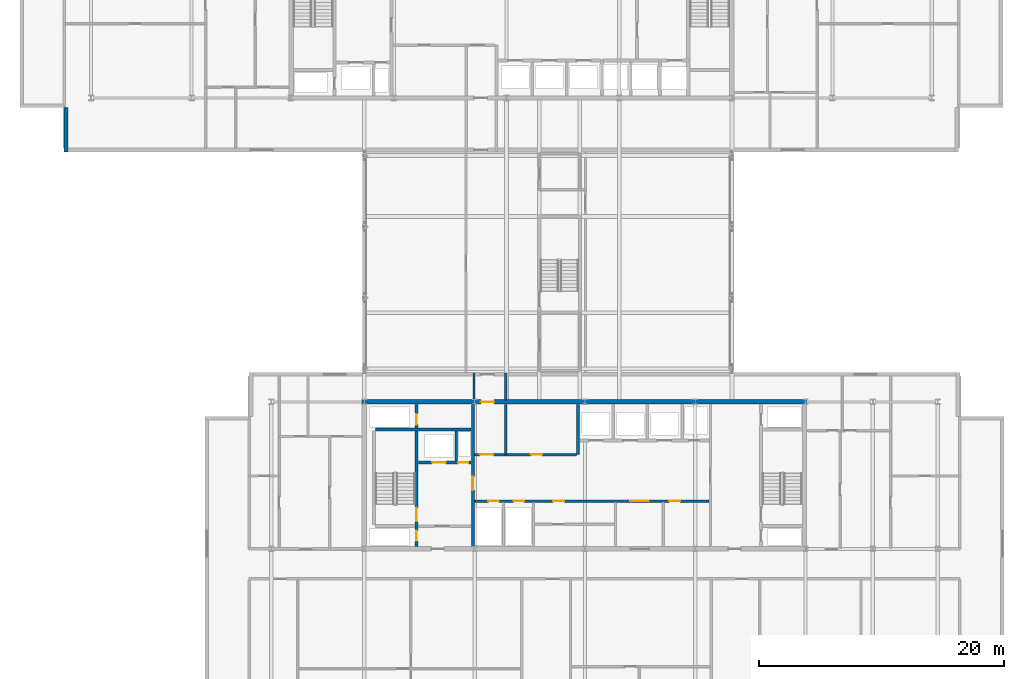
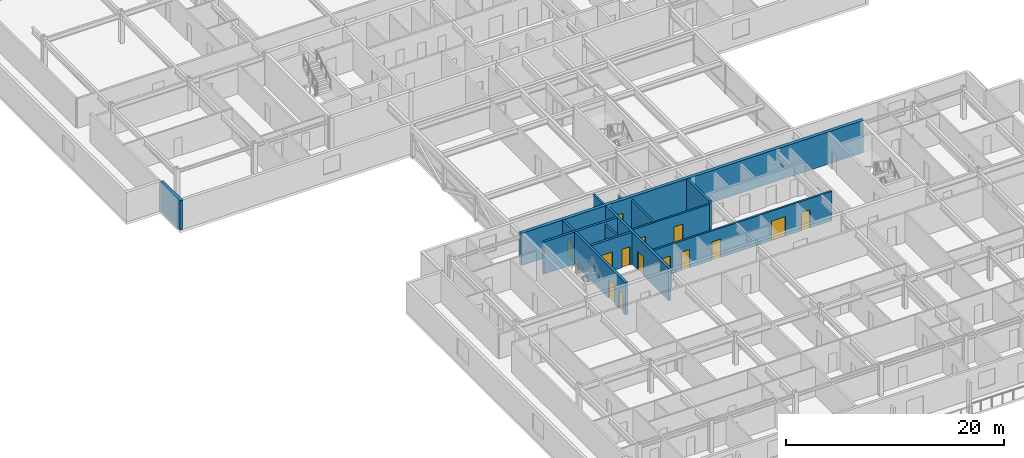
# One storey, part 20 of 36: 14 doors, 13 walls, 14 openings.
"""IFC4 building model written with IfcOpenShell, lengths in metres."""

from ifc_helpers import new_model, si_unit, direction, frame, frame_2d, origin, place, context, subcontext, project, spatial, rectangle, extrude, material, layer, layer_set, type_object, element, fill, save


model = new_model("IFC4")

# Units and contexts
model_context = context("Model", 3, precision=1e-05, world=origin(), true_north=direction((0.0, 1.0)))
body_context = subcontext(model_context, "Body", "Model", "MODEL_VIEW")
ifc_project = project(units=[si_unit("LENGTHUNIT", "METRE"), si_unit("AREAUNIT", "SQUARE_METRE"), si_unit("VOLUMEUNIT", "CUBIC_METRE"), si_unit("PLANEANGLEUNIT", "RADIAN"), si_unit("MASSUNIT", "GRAM", prefix="KILO")], contexts=[model_context])

# Site, building, storey
site_placement = place(None, origin())
site = spatial("IfcSite", under=ifc_project, at=site_placement, CompositionType="ELEMENT")
building_placement = place(site_placement, origin())
building = spatial("IfcBuilding", under=site, at=building_placement, Name="Korimba Cascade Residences", CompositionType="ELEMENT")
storey_placement = place(building_placement, frame((0.0, 0.0, 139.300048828125)))
storey = spatial("IfcBuildingStorey", under=building, at=storey_placement, Name="L40", CompositionType="ELEMENT", Elevation=139.300048828125)

# Wall
ifc_material_1 = material(Name="Precast concrete C40/50", Category="concrete")
ifc_layer_1 = layer(ifc_material_1, 0.300048828125)
ifc_layer_set_1 = layer_set([ifc_layer_1], Name="Precast concrete C40/50")
wall_type_1 = type_object("IfcWallType", Name="EW-STONE-300", PredefinedType="STANDARD", material=ifc_layer_set_1)
wall_1_placement = place(storey_placement, frame((57.75, 54.39990234375, 0.0), z_axis=(0.0, 0.0, 1.0), x_axis=(0.0, -1.0, 0.0)))
element("IfcWall", 1, at=wall_1_placement, inside=storey, type_object=wall_type_1, Name="L40 T1 Perimeter Stone Wall E11", PredefinedType="STANDARD", context=body_context, shape_type="SweptSolid", body=[
    extrude(rectangle(XDim=3.599853515625, YDim=0.300048828125, at=frame_2d((1.7998046875, 0.0))), origin(), (0.0, 0.0, 1.0), 3.31005859375),
])

# Wall, opening, door
ifc_material_2 = material(Name="Concrete C65/80", Category="concrete")
ifc_layer_2 = layer(ifc_material_2, 0.35009765625)
ifc_layer_set_2 = layer_set([ifc_layer_2], Name="Concrete C65/80")
wall_type_2 = type_object("IfcWallType", Name="WAL-CORE-350", PredefinedType="SHEAR", material=ifc_layer_set_2)
wall_2_placement = place(storey_placement, frame((81.925048828125, 30.39990234375, 0.0), z_axis=(0.0, 0.0, 1.0), x_axis=(1.0, 0.0, 0.0)))
wall_2 = element("IfcWall", 2, at=wall_2_placement, inside=storey, type_object=wall_type_2, Name="L40 Core Shear Wall CW-L40-T2-N", PredefinedType="SHEAR", context=body_context, shape_type="SweptSolid", body=[
    extrude(rectangle(XDim=36.264892578125, YDim=0.35009765625, at=frame_2d((18.13232421875, 0.0))), origin(), (0.0, 0.0, 1.0), 3.599853515625),
])
opening_1_placement = place(wall_2_placement, frame((9.675048828125, 0.0, 0.0)))
opening_1 = element("IfcOpeningElement", 3, at=opening_1_placement, cuts=wall_2, Name="Opening D-FD1", PredefinedType="OPENING", context=body_context, shape_type="SweptSolid", body=[
    extrude(rectangle(XDim=1.10009765625, YDim=2.10009765625, at=frame_2d((0.550048828125, 1.050048828125))), frame((0.0, 0.18505859375, 0.0), z_axis=(0.0, -1.0, 0.0), x_axis=(1.0, 0.0, 0.0)), (0.0, 0.0, 1.0), 0.3701171875),
])
ifc_material_3 = material(Name="Fire-Rated Steel Core Door", Category="steel")
door_type_1 = type_object("IfcDoorType", Name="DR-FD120-1100", OperationType="NOTDEFINED", PredefinedType="DOOR", material=ifc_material_3)
door_1_placement = place(opening_1_placement, origin())
door_1 = element("IfcDoor", 4, at=door_1_placement, inside=storey, type_object=door_type_1, Name="L40 Skybridge to T2 Core Fire Door", OperationType="SINGLE_SWING_LEFT", OverallHeight=2.10009765625, OverallWidth=1.10009765625, PredefinedType="DOOR", context=body_context, shape_type="SweptSolid", body=[
    extrude(rectangle(XDim=1.10009765625, YDim=2.10009765625, at=frame_2d((0.550048828125, 1.050048828125))), frame((0.0, 0.02490234375, 0.0), z_axis=(0.0, -1.0, 0.0), x_axis=(1.0, 0.0, 0.0)), (0.0, 0.0, 1.0), 0.050048828125),
])
fill(opening_1, door_1)

# Walls
ifc_material_4 = material(Name="Concrete C40/50", Category="concrete")
ifc_layer_3 = layer(ifc_material_4, 0.199951171875)
ifc_layer_set_3 = layer_set([ifc_layer_3], Name="Concrete C40/50")
wall_type_3 = type_object("IfcWallType", Name="WAL-PART-200", PredefinedType="PARTITIONING", material=ifc_layer_set_3)
wall_3_placement = place(storey_placement, frame((89.60009765625, 25.580078125, 0.0), z_axis=(0.0, 0.0, 1.0), x_axis=(0.0, 1.0, 0.0)))
element("IfcWall", 5, at=wall_3_placement, inside=storey, type_object=wall_type_3, Name="L40 Partition Wall CW-L40-T2-FFLDIV", PredefinedType="PARTITIONING", context=body_context, shape_type="SweptSolid", body=[
    extrude(rectangle(XDim=2.419921875, YDim=0.199951171875, at=frame_2d((1.2099609375, 0.0))), origin(), (0.0, 0.0, 1.0), 3.31005859375),
])
wall_4_placement = place(storey_placement, frame((93.64990234375, 26.10009765625, 0.0), z_axis=(0.0, 0.0, 1.0), x_axis=(0.0, 1.0, 0.0)))
element("IfcWall", 6, at=wall_4_placement, inside=storey, type_object=wall_type_3, Name="L40 Partition Wall CW-L40-T2-BRGPD", PredefinedType="PARTITIONING", context=body_context, shape_type="SweptSolid", body=[
    extrude(rectangle(XDim=4.099853515625, YDim=0.199951171875, at=frame_2d((2.0498046875, 0.0))), origin(), (0.0, 0.0, 1.0), 3.31005859375),
])

# Wall, openings, doors
wall_5_placement = place(storey_placement, frame((91.080078125, 26.10009765625, 0.0), z_axis=(0.0, 0.0, 1.0), x_axis=(1.0, 0.0, 0.0)))
wall_5 = element("IfcWall", 7, at=wall_5_placement, inside=storey, type_object=wall_type_3, Name="L40 Partition Wall CW-L40-T2-B1RS", PredefinedType="PARTITIONING", context=body_context, shape_type="SweptSolid", body=[
    extrude(rectangle(XDim=8.33984375, YDim=0.199951171875, at=frame_2d((4.169921875, 0.0))), origin(), (0.0, 0.0, 1.0), 3.31005859375),
])
opening_2_placement = place(wall_5_placement, frame((0.449951171875, 0.0, 0.0)))
opening_2 = element("IfcOpeningElement", 8, at=opening_2_placement, cuts=wall_5, Name="Opening D-FD1", PredefinedType="OPENING", context=body_context, shape_type="SweptSolid", body=[
    extrude(rectangle(XDim=1.10009765625, YDim=2.10009765625, at=frame_2d((0.550048828125, 1.050048828125))), frame((0.0, 0.10986328125, 0.0), z_axis=(0.0, -1.0, 0.0), x_axis=(1.0, 0.0, 0.0)), (0.0, 0.0, 1.0), 0.219970703125),
])
opening_3_placement = place(wall_5_placement, frame((4.60009765625, 0.0, 0.0)))
opening_3 = element("IfcOpeningElement", 9, at=opening_3_placement, cuts=wall_5, Name="Opening D-ST1", PredefinedType="OPENING", context=body_context, shape_type="SweptSolid", body=[
    extrude(rectangle(XDim=0.919921875, YDim=2.080078125, at=frame_2d((0.4599609375, 1.0400390625))), frame((0.0, 0.10986328125, 0.0), z_axis=(0.0, -1.0, 0.0), x_axis=(1.0, 0.0, 0.0)), (0.0, 0.0, 1.0), 0.219970703125),
])
door_2_placement = place(opening_2_placement, origin())
door_2 = element("IfcDoor", 10, at=door_2_placement, inside=storey, type_object=door_type_1, Name="L40 Skybridge Vestibule to T2 Lift Lobby Door", OperationType="SINGLE_SWING_RIGHT", OverallHeight=2.10009765625, OverallWidth=1.10009765625, PredefinedType="DOOR", context=body_context, shape_type="SweptSolid", body=[
    extrude(rectangle(XDim=1.10009765625, YDim=2.10009765625, at=frame_2d((0.550048828125, 1.050048828125))), frame((0.0, 0.02490234375, 0.0), z_axis=(0.0, -1.0, 0.0), x_axis=(1.0, 0.0, 0.0)), (0.0, 0.0, 1.0), 0.050048828125),
])
fill(opening_2, door_2)
ifc_material_5 = material(Name="Fire-Rated Core Store Door", Category="wood")
door_type_2 = type_object("IfcDoorType", Name="DR-FD60-920", OperationType="NOTDEFINED", PredefinedType="DOOR", material=ifc_material_5)
door_3_placement = place(opening_3_placement, origin())
door_3 = element("IfcDoor", 11, at=door_3_placement, inside=storey, type_object=door_type_2, Name="L40 T2 Resident Storage Door", OperationType="SINGLE_SWING_LEFT", OverallHeight=2.080078125, OverallWidth=0.919921875, PredefinedType="DOOR", context=body_context, shape_type="SweptSolid", body=[
    extrude(rectangle(XDim=0.919921875, YDim=2.080078125, at=frame_2d((0.4599609375, 1.0400390625))), frame((0.0, 0.02490234375, 0.0), z_axis=(0.0, -1.0, 0.0), x_axis=(1.0, 0.0, 0.0)), (0.0, 0.0, 1.0), 0.050048828125),
])
fill(opening_3, door_3)

wall_6_placement = place(storey_placement, frame((91.080078125, 22.300048828125, 0.0), z_axis=(0.0, 0.0, 1.0), x_axis=(1.0, 0.0, 0.0)))
wall_6 = element("IfcWall", 12, at=wall_6_placement, inside=storey, type_object=wall_type_3, Name="L40 Partition Wall CW-L40-T2-SRVROW", PredefinedType="PARTITIONING", context=body_context, shape_type="SweptSolid", body=[
    extrude(rectangle(XDim=19.139892578125, YDim=0.199951171875, at=frame_2d((9.56982421875, 0.0))), origin(), (0.0, 0.0, 1.0), 3.31005859375),
])
opening_4_placement = place(wall_6_placement, frame((1.14990234375, 0.0, 0.0)))
opening_4 = element("IfcOpeningElement", 13, at=opening_4_placement, cuts=wall_6, Name="Opening D-RS1", PredefinedType="OPENING", context=body_context, shape_type="SweptSolid", body=[
    extrude(rectangle(XDim=0.85009765625, YDim=2.050048828125, at=frame_2d((0.425048828125, 1.02490234375))), frame((0.0, 0.10986328125, 0.0), z_axis=(0.0, -1.0, 0.0), x_axis=(1.0, 0.0, 0.0)), (0.0, 0.0, 1.0), 0.219970703125),
])
opening_5_placement = place(wall_6_placement, frame((3.199951171875, 0.0, 0.0)))
opening_5 = element("IfcOpeningElement", 14, at=opening_5_placement, cuts=wall_6, Name="Opening D-RS1", PredefinedType="OPENING", context=body_context, shape_type="SweptSolid", body=[
    extrude(rectangle(XDim=0.85009765625, YDim=2.050048828125, at=frame_2d((0.425048828125, 1.02490234375))), frame((0.0, 0.10986328125, 0.0), z_axis=(0.0, -1.0, 0.0), x_axis=(1.0, 0.0, 0.0)), (0.0, 0.0, 1.0), 0.219970703125),
])
opening_6_placement = place(wall_6_placement, frame((12.719970703125, 0.0, 0.0)))
opening_6 = element("IfcOpeningElement", 15, at=opening_6_placement, cuts=wall_6, Name="Opening D-FD8", PredefinedType="OPENING", context=body_context, shape_type="SweptSolid", body=[
    extrude(rectangle(XDim=1.5, YDim=2.199951171875, at=frame_2d((0.75, 1.10009765625))), frame((0.0, 0.10986328125, 0.0), z_axis=(0.0, -1.0, 0.0), x_axis=(1.0, 0.0, 0.0)), (0.0, 0.0, 1.0), 0.219970703125),
])
opening_7_placement = place(wall_6_placement, frame((6.419921875, 0.0, 0.0)))
opening_7 = element("IfcOpeningElement", 16, at=opening_7_placement, cuts=wall_6, Name="Opening D-IN1", PredefinedType="OPENING", context=body_context, shape_type="SweptSolid", body=[
    extrude(rectangle(XDim=0.919921875, YDim=2.080078125, at=frame_2d((0.4599609375, 1.0400390625))), frame((0.0, 0.10986328125, 0.0), z_axis=(0.0, -1.0, 0.0), x_axis=(1.0, 0.0, 0.0)), (0.0, 0.0, 1.0), 0.219970703125),
])
opening_8_placement = place(wall_6_placement, frame((15.919921875, 0.0, 0.0)))
opening_8 = element("IfcOpeningElement", 17, at=opening_8_placement, cuts=wall_6, Name="Opening D-IN2", PredefinedType="OPENING", context=body_context, shape_type="SweptSolid", body=[
    extrude(rectangle(XDim=0.8798828125, YDim=2.06005859375, at=frame_2d((0.43994140625, 1.030029296875))), frame((0.0, 0.10986328125, 0.0), z_axis=(0.0, -1.0, 0.0), x_axis=(1.0, 0.0, 0.0)), (0.0, 0.0, 1.0), 0.219970703125),
])
ifc_material_6 = material(Name="Fire-Rated Steel Riser Access Door", Category="steel")
door_type_3 = type_object("IfcDoorType", Name="DR-FD60-850", OperationType="NOTDEFINED", PredefinedType="DOOR", material=ifc_material_6)
door_4_placement = place(opening_4_placement, origin())
door_4 = element("IfcDoor", 18, at=door_4_placement, inside=storey, type_object=door_type_3, Name="L40 T2 Electrical Riser Door", OperationType="SINGLE_SWING_RIGHT", OverallHeight=2.050048828125, OverallWidth=0.85009765625, PredefinedType="DOOR", context=body_context, shape_type="SweptSolid", body=[
    extrude(rectangle(XDim=0.85009765625, YDim=2.050048828125, at=frame_2d((0.425048828125, 1.02490234375))), frame((0.0, 0.02490234375, 0.0), z_axis=(0.0, -1.0, 0.0), x_axis=(1.0, 0.0, 0.0)), (0.0, 0.0, 1.0), 0.050048828125),
])
fill(opening_4, door_4)
door_5_placement = place(opening_5_placement, origin())
door_5 = element("IfcDoor", 19, at=door_5_placement, inside=storey, type_object=door_type_3, Name="L40 T2 Plumbing Riser Door", OperationType="SINGLE_SWING_LEFT", OverallHeight=2.050048828125, OverallWidth=0.85009765625, PredefinedType="DOOR", context=body_context, shape_type="SweptSolid", body=[
    extrude(rectangle(XDim=0.85009765625, YDim=2.050048828125, at=frame_2d((0.425048828125, 1.02490234375))), frame((0.0, 0.02490234375, 0.0), z_axis=(0.0, -1.0, 0.0), x_axis=(1.0, 0.0, 0.0)), (0.0, 0.0, 1.0), 0.050048828125),
])
fill(opening_5, door_5)
ifc_material_7 = material(Name="Fire-Rated Glazed Lift Lobby Double Door", Category="glass")
door_type_4 = type_object("IfcDoorType", Name="DR-FD90-1500", OperationType="NOTDEFINED", PredefinedType="DOOR", material=ifc_material_7)
door_6_placement = place(opening_6_placement, origin())
door_6 = element("IfcDoor", 20, at=door_6_placement, inside=storey, type_object=door_type_4, Name="L40 T2 Lift Lobby Foyer Door", OperationType="DOUBLE_DOOR_SINGLE_SWING", OverallHeight=2.199951171875, OverallWidth=1.5, PredefinedType="DOOR", context=body_context, shape_type="SweptSolid", body=[
    extrude(rectangle(XDim=1.5, YDim=2.199951171875, at=frame_2d((0.75, 1.10009765625))), frame((0.0, 0.02490234375, 0.0), z_axis=(0.0, -1.0, 0.0), x_axis=(1.0, 0.0, 0.0)), (0.0, 0.0, 1.0), 0.050048828125),
])
fill(opening_6, door_6)
ifc_material_8 = material(Name="Acoustic Timber Bedroom Door", Category="wood")
door_type_5 = type_object("IfcDoorType", Name="DR-INT-880", OperationType="NOTDEFINED", PredefinedType="DOOR", material=ifc_material_8)
door_7_placement = place(opening_8_placement, origin())
door_7 = element("IfcDoor", 21, at=door_7_placement, inside=storey, type_object=door_type_5, Name="L40 T2 Staff WC Door", OperationType="SINGLE_SWING_LEFT", OverallHeight=2.06005859375, OverallWidth=0.8798828125, PredefinedType="DOOR", context=body_context, shape_type="SweptSolid", body=[
    extrude(rectangle(XDim=0.8798828125, YDim=2.06005859375, at=frame_2d((0.43994140625, 1.030029296875))), frame((0.0, 0.02490234375, 0.0), z_axis=(0.0, -1.0, 0.0), x_axis=(1.0, 0.0, 0.0)), (0.0, 0.0, 1.0), 0.050048828125),
])
fill(opening_8, door_7)
ifc_material_9 = material(Name="Acoustic Timber Living Door", Category="wood")
door_type_6 = type_object("IfcDoorType", Name="DR-INT-920", OperationType="NOTDEFINED", PredefinedType="DOOR", material=ifc_material_9)
door_8_placement = place(opening_7_placement, origin())
door_8 = element("IfcDoor", 22, at=door_8_placement, inside=storey, type_object=door_type_6, Name="L40 T2 Locker Door", OperationType="SINGLE_SWING_RIGHT", OverallHeight=2.080078125, OverallWidth=0.919921875, PredefinedType="DOOR", context=body_context, shape_type="SweptSolid", body=[
    extrude(rectangle(XDim=0.919921875, YDim=2.080078125, at=frame_2d((0.4599609375, 1.0400390625))), frame((0.0, 0.02490234375, 0.0), z_axis=(0.0, -1.0, 0.0), x_axis=(1.0, 0.0, 0.0)), (0.0, 0.0, 1.0), 0.050048828125),
])
fill(opening_7, door_8)

# Walls
wall_7_placement = place(storey_placement, frame((91.050048828125, 30.550048828125, 0.0), z_axis=(0.0, 0.0, 1.0), x_axis=(0.0, 1.0, 0.0)))
element("IfcWall", 23, at=wall_7_placement, inside=storey, type_object=wall_type_3, Name="L40 Partition Wall WAL-L40-T2-NBRGW", PredefinedType="PARTITIONING", context=body_context, shape_type="SweptSolid", body=[
    extrude(rectangle(XDim=2.199951171875, YDim=0.199951171875, at=frame_2d((1.10009765625, 0.0))), origin(), (0.0, 0.0, 1.0), 3.31005859375),
])
wall_8_placement = place(storey_placement, frame((93.64990234375, 30.550048828125, 0.0), z_axis=(0.0, 0.0, 1.0), x_axis=(0.0, 1.0, 0.0)))
element("IfcWall", 24, at=wall_8_placement, inside=storey, type_object=wall_type_3, Name="L40 Partition Wall WAL-L40-T2-NBRGE", PredefinedType="PARTITIONING", context=body_context, shape_type="SweptSolid", body=[
    extrude(rectangle(XDim=2.199951171875, YDim=0.199951171875, at=frame_2d((1.10009765625, 0.0))), origin(), (0.0, 0.0, 1.0), 2.38330078125),
])

# Wall, openings, doors
ifc_material_10 = material(Name="Concrete C50/60", Category="concrete")
ifc_layer_4 = layer(ifc_material_10, 0.25)
ifc_layer_set_4 = layer_set([ifc_layer_4], Name="Concrete C50/60")
wall_type_4 = type_object("IfcWallType", Name="WAL-SHAFT-250", PredefinedType="SHEAR", material=ifc_layer_set_4)
wall_9_placement = place(storey_placement, frame((86.364990234375, 18.60009765625, 0.0), z_axis=(0.0, 0.0, 1.0), x_axis=(0.0, 1.0, 0.0)))
wall_9 = element("IfcWall", 25, at=wall_9_placement, inside=storey, type_object=wall_type_4, Name="L40 Core Shear Wall CW-L40-T2-STE1E", PredefinedType="SHEAR", context=body_context, shape_type="SweptSolid", body=[
    extrude(rectangle(XDim=11.599853515625, YDim=0.25, at=frame_2d((5.7998046875, 0.0))), origin(), (0.0, 0.0, 1.0), 3.599853515625),
])
opening_9_placement = place(wall_9_placement, frame((0.449951171875, 0.0, 0.0)))
opening_9 = element("IfcOpeningElement", 26, at=opening_9_placement, cuts=wall_9, Name="Opening D-RS1", PredefinedType="OPENING", context=body_context, shape_type="SweptSolid", body=[
    extrude(rectangle(XDim=0.85009765625, YDim=2.050048828125, at=frame_2d((0.425048828125, 1.02490234375))), frame((0.0, 0.135009765625, 0.0), z_axis=(0.0, -1.0, 0.0), x_axis=(1.0, 0.0, 0.0)), (0.0, 0.0, 1.0), 0.27001953125),
])
opening_10_placement = place(wall_9_placement, frame((2.050048828125, 0.0, 0.0)))
opening_10 = element("IfcOpeningElement", 27, at=opening_10_placement, cuts=wall_9, Name="Opening D-FD1", PredefinedType="OPENING", context=body_context, shape_type="SweptSolid", body=[
    extrude(rectangle(XDim=1.10009765625, YDim=2.10009765625, at=frame_2d((0.550048828125, 1.050048828125))), frame((0.0, 0.135009765625, 0.0), z_axis=(0.0, -1.0, 0.0), x_axis=(1.0, 0.0, 0.0)), (0.0, 0.0, 1.0), 0.27001953125),
])
opening_11_placement = place(wall_9_placement, frame((9.949951171875, 0.0, 0.0)))
opening_11 = element("IfcOpeningElement", 28, at=opening_11_placement, cuts=wall_9, Name="Opening D-RS1", PredefinedType="OPENING", context=body_context, shape_type="SweptSolid", body=[
    extrude(rectangle(XDim=0.85009765625, YDim=2.050048828125, at=frame_2d((0.425048828125, 1.02490234375))), frame((0.0, 0.135009765625, 0.0), z_axis=(0.0, -1.0, 0.0), x_axis=(1.0, 0.0, 0.0)), (0.0, 0.0, 1.0), 0.27001953125),
])
door_9_placement = place(opening_10_placement, origin())
door_9 = element("IfcDoor", 29, at=door_9_placement, inside=storey, type_object=door_type_1, Name="L40 Fire Stair ST-E1 Door", OperationType="SINGLE_SWING_LEFT", OverallHeight=2.10009765625, OverallWidth=1.10009765625, PredefinedType="DOOR", context=body_context, shape_type="SweptSolid", body=[
    extrude(rectangle(XDim=1.10009765625, YDim=2.10009765625, at=frame_2d((0.550048828125, 1.050048828125))), frame((0.0, 0.02490234375, 0.0), z_axis=(0.0, -1.0, 0.0), x_axis=(1.0, 0.0, 0.0)), (0.0, 0.0, 1.0), 0.050048828125),
])
fill(opening_10, door_9)
door_10_placement = place(opening_9_placement, origin())
door_10 = element("IfcDoor", 30, at=door_10_placement, inside=storey, type_object=door_type_3, Name="L40 T2 Hydrant Riser Door", OperationType="SINGLE_SWING_RIGHT", OverallHeight=2.050048828125, OverallWidth=0.85009765625, PredefinedType="DOOR", context=body_context, shape_type="SweptSolid", body=[
    extrude(rectangle(XDim=0.85009765625, YDim=2.050048828125, at=frame_2d((0.425048828125, 1.02490234375))), frame((0.0, 0.02490234375, 0.0), z_axis=(0.0, -1.0, 0.0), x_axis=(1.0, 0.0, 0.0)), (0.0, 0.0, 1.0), 0.050048828125),
])
fill(opening_9, door_10)
door_11_placement = place(opening_11_placement, origin())
door_11 = element("IfcDoor", 31, at=door_11_placement, inside=storey, type_object=door_type_3, Name="L40 T2 Smoke Shaft Door", OperationType="SINGLE_SWING_RIGHT", OverallHeight=2.050048828125, OverallWidth=0.85009765625, PredefinedType="DOOR", context=body_context, shape_type="SweptSolid", body=[
    extrude(rectangle(XDim=0.85009765625, YDim=2.050048828125, at=frame_2d((0.425048828125, 1.02490234375))), frame((0.0, 0.02490234375, 0.0), z_axis=(0.0, -1.0, 0.0), x_axis=(1.0, 0.0, 0.0)), (0.0, 0.0, 1.0), 0.050048828125),
])
fill(opening_11, door_11)

# Wall
wall_10_placement = place(storey_placement, frame((83.0, 28.125, 0.0), z_axis=(0.0, 0.0, 1.0), x_axis=(1.0, 0.0, 0.0)))
element("IfcWall", 32, at=wall_10_placement, inside=storey, type_object=wall_type_4, Name="L40 Core Shear Wall CW-L40-T2-STE1N", PredefinedType="SHEAR", context=body_context, shape_type="SweptSolid", body=[
    extrude(rectangle(XDim=7.820068359375, YDim=0.25, at=frame_2d((3.91015625, 0.0))), origin(), (0.0, 0.0, 1.0), 3.599853515625),
])

# Wall, openings, doors
wall_11_placement = place(storey_placement, frame((86.5, 25.449951171875, 0.0), z_axis=(0.0, 0.0, 1.0), x_axis=(1.0, 0.0, 0.0)))
wall_11 = element("IfcWall", 33, at=wall_11_placement, inside=storey, type_object=wall_type_4, Name="L40 Core Shear Wall CW-L40-T2-FFLN", PredefinedType="SHEAR", context=body_context, shape_type="SweptSolid", body=[
    extrude(rectangle(XDim=4.320068359375, YDim=0.25, at=frame_2d((2.16015625, 0.0))), origin(), (0.0, 0.0, 1.0), 3.599853515625),
])
opening_12_placement = place(wall_11_placement, frame((1.139892578125, 0.0, 0.0)))
opening_12 = element("IfcOpeningElement", 34, at=opening_12_placement, cuts=wall_11, Name="Opening LD-01", PredefinedType="OPENING", context=body_context, shape_type="SweptSolid", body=[
    extrude(rectangle(XDim=1.1201171875, YDim=2.1201171875, at=frame_2d((0.56005859375, 1.06005859375))), frame((0.0, 0.135009765625, 0.0), z_axis=(0.0, -1.0, 0.0), x_axis=(1.0, 0.0, 0.0)), (0.0, 0.0, 1.0), 0.27001953125),
])
opening_13_placement = place(wall_11_placement, frame((3.25, 0.0, 0.0)))
opening_13 = element("IfcOpeningElement", 35, at=opening_13_placement, cuts=wall_11, Name="Opening D-RS1", PredefinedType="OPENING", context=body_context, shape_type="SweptSolid", body=[
    extrude(rectangle(XDim=0.85009765625, YDim=2.050048828125, at=frame_2d((0.425048828125, 1.02490234375))), frame((0.0, 0.135009765625, 0.0), z_axis=(0.0, -1.0, 0.0), x_axis=(1.0, 0.0, 0.0)), (0.0, 0.0, 1.0), 0.27001953125),
])
door_12_placement = place(opening_13_placement, origin())
door_12 = element("IfcDoor", 36, at=door_12_placement, inside=storey, type_object=door_type_3, Name="L40 T2 Pressurisation Riser Door", OperationType="SINGLE_SWING_LEFT", OverallHeight=2.050048828125, OverallWidth=0.85009765625, PredefinedType="DOOR", context=body_context, shape_type="SweptSolid", body=[
    extrude(rectangle(XDim=0.85009765625, YDim=2.050048828125, at=frame_2d((0.425048828125, 1.02490234375))), frame((0.0, 0.02490234375, 0.0), z_axis=(0.0, -1.0, 0.0), x_axis=(1.0, 0.0, 0.0)), (0.0, 0.0, 1.0), 0.050048828125),
])
fill(opening_13, door_12)
ifc_material_11 = material(Name="Stainless Steel Lift Landing Sliding Door", Category="steel")
door_type_7 = type_object("IfcDoorType", Name="DR-LIFT-1100", OperationType="NOTDEFINED", PredefinedType="DOOR", material=ifc_material_11)
door_13_placement = place(opening_12_placement, origin())
door_13 = element("IfcDoor", 37, at=door_13_placement, inside=storey, type_object=door_type_7, Name="L40 Firefighting Lift Landing Door FFL-E1", OperationType="SLIDING_TO_RIGHT", OverallHeight=2.1201171875, OverallWidth=1.1201171875, PredefinedType="DOOR", context=body_context, shape_type="SweptSolid", body=[
    extrude(rectangle(XDim=1.1201171875, YDim=2.1201171875, at=frame_2d((0.56005859375, 1.06005859375))), frame((0.0, 0.02490234375, 0.0), z_axis=(0.0, -1.0, 0.0), x_axis=(1.0, 0.0, 0.0)), (0.0, 0.0, 1.0), 0.050048828125),
])
fill(opening_12, door_13)

# Wall, opening, door
wall_12_placement = place(storey_placement, frame((90.949951171875, 18.60009765625, 0.0), z_axis=(0.0, 0.0, 1.0), x_axis=(0.0, 1.0, 0.0)))
wall_12 = element("IfcWall", 38, at=wall_12_placement, inside=storey, type_object=wall_type_4, Name="L40 Core Shear Wall CW-L40-T2-FFLE", PredefinedType="SHEAR", context=body_context, shape_type="SweptSolid", body=[
    extrude(rectangle(XDim=11.599853515625, YDim=0.25, at=frame_2d((5.7998046875, 0.0))), origin(), (0.0, 0.0, 1.0), 3.599853515625),
])
opening_14_placement = place(wall_12_placement, frame((4.60009765625, 0.0, 0.0)))
opening_14 = element("IfcOpeningElement", 39, at=opening_14_placement, cuts=wall_12, Name="Opening D-FD1", PredefinedType="OPENING", context=body_context, shape_type="SweptSolid", body=[
    extrude(rectangle(XDim=1.10009765625, YDim=2.10009765625, at=frame_2d((0.550048828125, 1.050048828125))), frame((0.0, 0.135009765625, 0.0), z_axis=(0.0, -1.0, 0.0), x_axis=(1.0, 0.0, 0.0)), (0.0, 0.0, 1.0), 0.27001953125),
])
door_14_placement = place(opening_14_placement, origin())
door_14 = element("IfcDoor", 40, at=door_14_placement, inside=storey, type_object=door_type_1, Name="L40 T2 Firefighting Lobby to Lift Lobby Door", OperationType="SINGLE_SWING_LEFT", OverallHeight=2.10009765625, OverallWidth=1.10009765625, PredefinedType="DOOR", context=body_context, shape_type="SweptSolid", body=[
    extrude(rectangle(XDim=1.10009765625, YDim=2.10009765625, at=frame_2d((0.550048828125, 1.050048828125))), frame((0.0, 0.02490234375, 0.0), z_axis=(0.0, -1.0, 0.0), x_axis=(1.0, 0.0, 0.0)), (0.0, 0.0, 1.0), 0.050048828125),
])
fill(opening_14, door_14)

# Wall
wall_13_placement = place(storey_placement, frame((99.550048828125, 26.10009765625, 0.0), z_axis=(0.0, 0.0, 1.0), x_axis=(0.0, 1.0, 0.0)))
element("IfcWall", 41, at=wall_13_placement, inside=storey, type_object=wall_type_4, Name="L40 Core Shear Wall CW-L40-T2-B12DIV", PredefinedType="SHEAR", context=body_context, shape_type="SweptSolid", body=[
    extrude(rectangle(XDim=4.099853515625, YDim=0.25, at=frame_2d((2.0498046875, 0.0))), origin(), (0.0, 0.0, 1.0), 3.599853515625),
])

save(model, "model.ifc")
